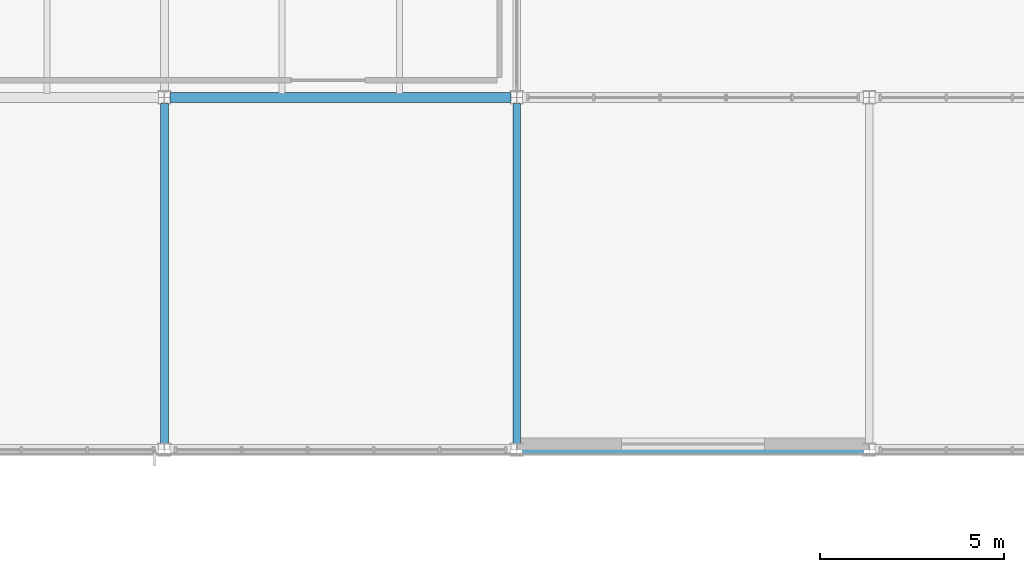
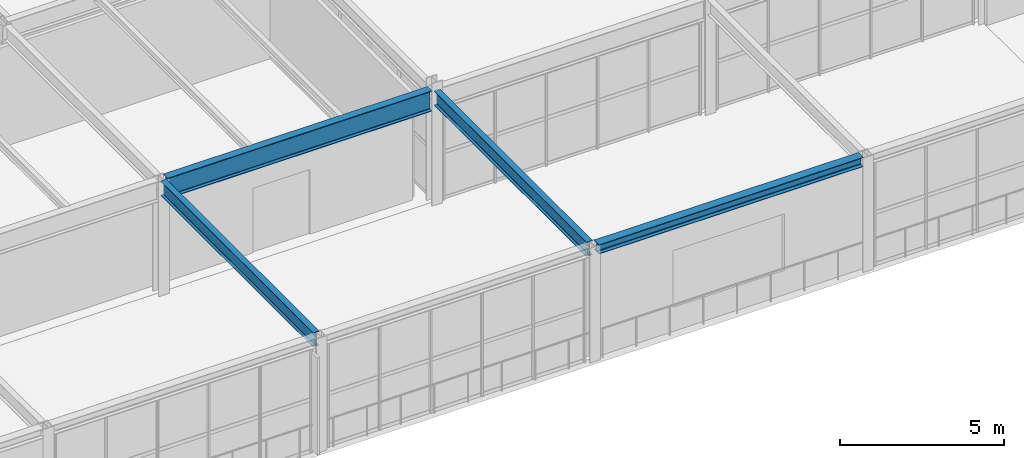
# One storey, part 99 of 170: 4 beams.
"""IFC4 building model written with IfcOpenShell, lengths in metres."""

from ifc_helpers import new_model, si_unit, direction, frame, origin, origin_2d, place, context, subcontext, project, spatial, i_section, extrude, material, material_profile, profile_set, type_object, element, save


model = new_model("IFC4")

# Units and contexts
model_context = context("Model", 3, precision=1e-05, world=origin(), true_north=direction((0.0, 1.0)))
body_context = subcontext(model_context, "Body", "Model", "MODEL_VIEW")
ifc_project = project(units=[si_unit("LENGTHUNIT", "METRE"), si_unit("AREAUNIT", "SQUARE_METRE"), si_unit("VOLUMEUNIT", "CUBIC_METRE"), si_unit("PLANEANGLEUNIT", "RADIAN"), si_unit("MASSUNIT", "GRAM", prefix="KILO")], contexts=[model_context])

# Site, building, storey
site_placement = place(None, origin())
site = spatial("IfcSite", under=ifc_project, at=site_placement, CompositionType="ELEMENT")
building_placement = place(site_placement, origin())
building = spatial("IfcBuilding", under=site, at=building_placement, Name="Coralgate Yard Interchange", CompositionType="ELEMENT")
storey_placement = place(building_placement, frame((0.0, 0.0, 6.0)))
storey = spatial("IfcBuildingStorey", under=building, at=storey_placement, Name="L01", CompositionType="ELEMENT", Elevation=6.0)

# Beams
ifc_material = material(Name="Structural steel S355J2", Category="steel")
ifc_material_profile_1 = material_profile(ifc_material, i_section(OverallWidth=0.209228515625, OverallDepth=0.533203125, WebThickness=0.010009765625, FlangeThickness=0.015625, FilletRadius=0.0126953125, at=origin_2d()), Name="UB 533x210x92")
ifc_profile_set_1 = profile_set([ifc_material_profile_1], Name="Structural steel S355J2")
beam_type_1 = type_object("IfcBeamType", Name="BM-SB-1", PredefinedType="BEAM", material=ifc_profile_set_1)
for number, where, z_axis, x_axis, name in (
    (1, (96.0, 67.35400390625, 3.9833984375), (0.0, 1.0, 0.0), (-1.0, 0.0, 0.0), "L01 primary grid girder X10 Y7-8"),
    (2, (105.60009765625, 67.35400390625, 3.9833984375), (0.0, 1.0, 0.0), (-1.0, 0.0, 0.0), "L01 primary grid girder X11 Y7-8"),
):
    element("IfcBeam", number, at=place(storey_placement, frame(where, z_axis=z_axis, x_axis=x_axis)), inside=storey, type_object=beam_type_1, Name=name, PredefinedType="BEAM", context=body_context, shape_type="SweptSolid", body=[
        extrude(i_section(OverallWidth=0.209228515625, OverallDepth=0.533203125, WebThickness=0.010009765625, FlangeThickness=0.015625, FilletRadius=0.0126953125, at=origin_2d()), origin(), (0.0, 0.0, 1.0), 9.2919921875),
    ])
ifc_material_profile_2 = material_profile(ifc_material, i_section(OverallWidth=0.2666015625, OverallDepth=0.76220703125, WebThickness=0.014404296875, FlangeThickness=0.021484375, FilletRadius=0.0166015625, at=origin_2d()), Name="UB 762x267x173")
ifc_profile_set_2 = profile_set([ifc_material_profile_2], Name="Structural steel S355J2")
beam_type_2 = type_object("IfcBeamType", Name="BM-SG-3", PredefinedType="BEAM", material=ifc_profile_set_2)
beam_1_placement = place(storey_placement, frame((96.15625, 76.800048828125, 3.868896484375), z_axis=(1.0, 0.0, 0.0), x_axis=(0.0, 1.0, 0.0)))
element("IfcBeam", 3, at=beam_1_placement, inside=storey, type_object=beam_type_2, Name="L01 primary grid beam Y8 X10-11", PredefinedType="BEAM", context=body_context, shape_type="SweptSolid", body=[
    extrude(i_section(OverallWidth=0.2666015625, OverallDepth=0.76220703125, WebThickness=0.014404296875, FlangeThickness=0.021484375, FilletRadius=0.0166015625, at=origin_2d()), origin(), (0.0, 0.0, 1.0), 9.287353515625),
])
ifc_material_profile_3 = material_profile(ifc_material, i_section(OverallWidth=0.300048828125, OverallDepth=0.35009765625, WebThickness=0.010009765625, FlangeThickness=0.017578125, FilletRadius=0.027099609375, at=origin_2d()), Name="HEA 360")
ifc_profile_set_3 = profile_set([ifc_material_profile_3], Name="Structural steel S355J2")
beam_type_3 = type_object("IfcBeamType", Name="BM-SP-1", PredefinedType="SPANDREL", material=ifc_profile_set_3)
beam_2_placement = place(storey_placement, frame((105.75634765625, 67.199951171875, 4.074951171875), z_axis=(1.0, 0.0, 0.0), x_axis=(0.0, 1.0, 0.0)))
element("IfcBeam", 4, at=beam_2_placement, inside=storey, type_object=beam_type_3, Name="L01 primary grid beam Y7 X11-12", PredefinedType="SPANDREL", context=body_context, shape_type="SweptSolid", body=[
    extrude(i_section(OverallWidth=0.300048828125, OverallDepth=0.35009765625, WebThickness=0.010009765625, FlangeThickness=0.017578125, FilletRadius=0.027099609375, at=origin_2d()), origin(), (0.0, 0.0, 1.0), 9.287353515625),
])

save(model, "model.ifc")
